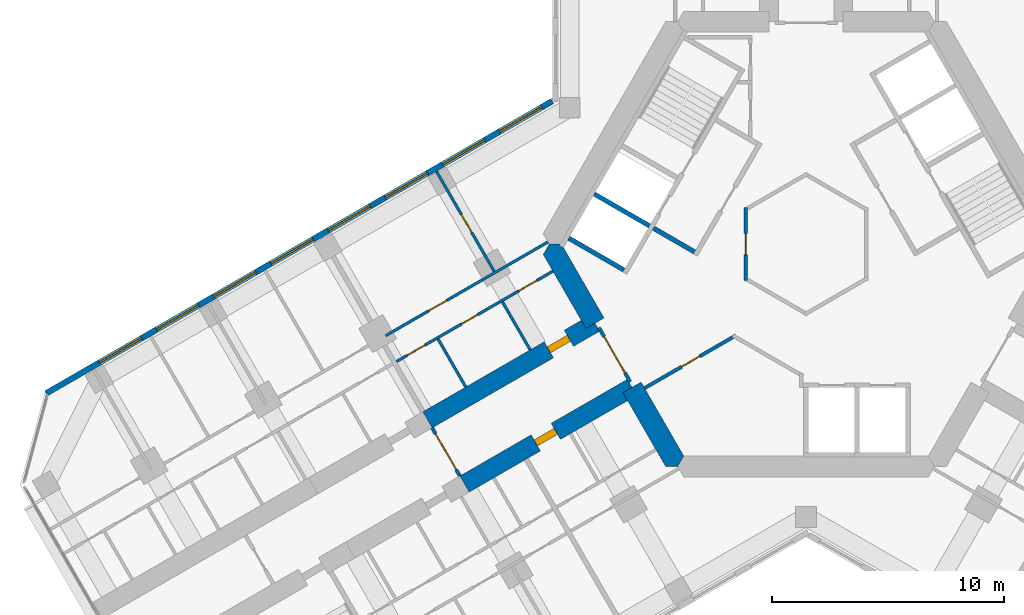
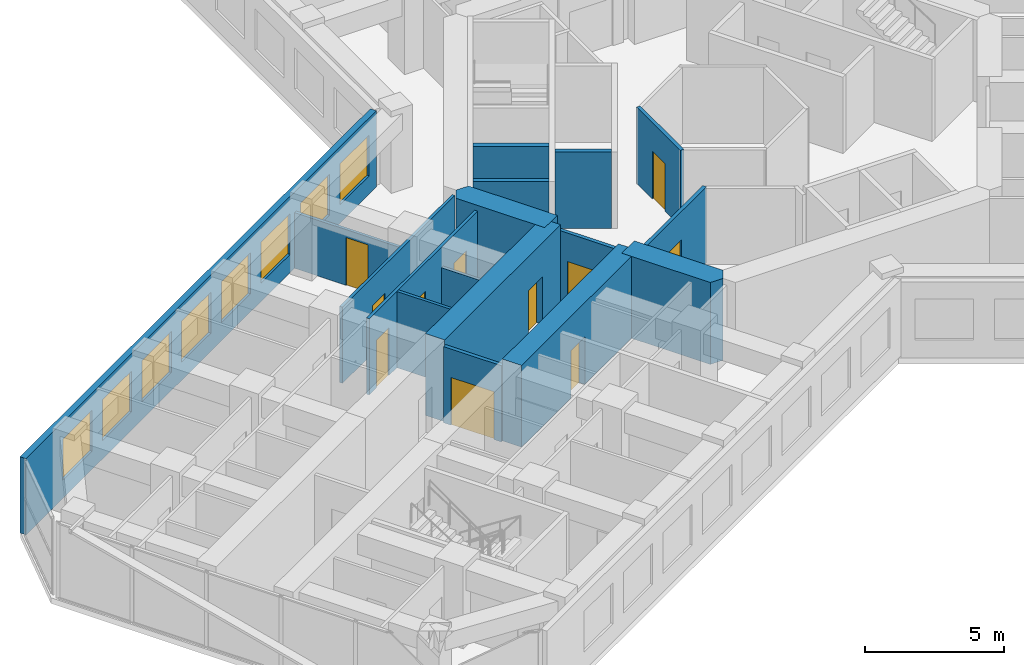
# One storey, part 12 of 19: 17 walls, 11 doors, 8 windows, 19 openings.
"""IFC4 building model written with IfcOpenShell, lengths in metres."""

from ifc_helpers import new_model, si_unit, direction, frame, frame_2d, origin, place, context, subcontext, project, spatial, polyline, rectangle, outline, extrude, material, layer, layer_set, type_object, element, fill, save


model = new_model("IFC4")

# Units and contexts
model_context = context("Model", 3, precision=1e-05, world=origin(), true_north=direction((0.0, 1.0)))
body_context = subcontext(model_context, "Body", "Model", "MODEL_VIEW")
ifc_project = project(units=[si_unit("LENGTHUNIT", "METRE"), si_unit("AREAUNIT", "SQUARE_METRE"), si_unit("VOLUMEUNIT", "CUBIC_METRE"), si_unit("PLANEANGLEUNIT", "RADIAN"), si_unit("MASSUNIT", "GRAM", prefix="KILO")], contexts=[model_context])

# Site, building, storey
site_placement = place(None, origin())
site = spatial("IfcSite", under=ifc_project, at=site_placement, CompositionType="ELEMENT")
building_placement = place(site_placement, origin())
building = spatial("IfcBuilding", under=site, at=building_placement, Name="Kosmar Iwan School Tower", CompositionType="ELEMENT")
storey_placement = place(building_placement, frame((0.0, 0.0, 149.0)))
storey = spatial("IfcBuildingStorey", under=building, at=storey_placement, Name="L37", CompositionType="ELEMENT", Elevation=149.0)

# Wall, opening, door
ifc_material_1 = material(Name="Gypsum board on steel studs, fire-rated", Category="steel")
ifc_layer_1 = layer(ifc_material_1, 0.14990234375)
ifc_layer_set_1 = layer_set([ifc_layer_1], Name="Core room partition 150")
wall_type_1 = type_object("IfcWallType", Name="Core room partition 150", PredefinedType="PARTITIONING", material=ifc_layer_set_1)
wall_1_placement = place(storey_placement, frame((-6.978515625, -6.222900390625, 0.0), z_axis=(0.0, 0.0, 1.0), x_axis=(0.866033797781, 0.49998546089, 0.0)))
wall_1 = element("IfcWall", 1, at=wall_1_placement, inside=storey, type_object=wall_type_1, Name="Core room partition L37-CW5", PredefinedType="PARTITIONING", context=body_context, shape_type="SweptSolid", body=[
    extrude(rectangle(XDim=4.553466796875, YDim=0.14990234375, at=frame_2d((2.27685546875, 0.0))), origin(), (0.0, 0.0, 1.0), 3.35009765625),
])
opening_1_placement = place(wall_1_placement, frame((1.846923828125, 0.0, 0.0)))
opening_1 = element("IfcOpeningElement", 2, at=opening_1_placement, cuts=wall_1, Name="Opening D14", PredefinedType="OPENING", context=body_context, shape_type="SweptSolid", body=[
    extrude(rectangle(XDim=0.89990234375, YDim=2.10009765625, at=frame_2d((0.449951171875, 1.050048828125))), frame((0.0, 0.0869140625, 0.0), z_axis=(0.0, -1.0, 0.0), x_axis=(1.0, 0.0, 0.0)), (0.0, 0.0, 1.0), 0.173828125),
])
ifc_material_2 = material(Name="Timber fire door in steel frame", Category="steel")
door_type_1 = type_object("IfcDoorType", Name="Core room door 900x2100", OperationType="SINGLE_SWING_LEFT", PredefinedType="DOOR", material=ifc_material_2)
door_1_placement = place(opening_1_placement, origin())
door_1 = element("IfcDoor", 3, at=door_1_placement, inside=storey, type_object=door_type_1, Name="Bulky waste store door L37 3", OperationType="SINGLE_SWING_RIGHT", OverallHeight=2.10009765625, OverallWidth=0.89990234375, PredefinedType="DOOR", context=body_context, shape_type="SweptSolid", body=[
    extrude(rectangle(XDim=0.89990234375, YDim=2.10009765625, at=frame_2d((0.449951171875, 1.050048828125))), frame((0.0, 0.02490234375, 0.0), z_axis=(0.0, -1.0, 0.0), x_axis=(1.0, 0.0, 0.0)), (0.0, 0.0, 1.0), 0.050048828125),
])
fill(opening_1, door_1)

wall_2_placement = place(storey_placement, frame((-2.60009765625, -1.576171875, 0.0), z_axis=(0.0, 0.0, 1.0), x_axis=(0.0, 1.0, 0.0)))
wall_2 = element("IfcWall", 4, at=wall_2_placement, inside=storey, type_object=wall_type_1, Name="Core room partition L37-CW10", PredefinedType="PARTITIONING", context=body_context, shape_type="SweptSolid", body=[
    extrude(rectangle(XDim=3.15234375, YDim=0.14990234375, at=frame_2d((1.576171875, 0.0))), origin(), (0.0, 0.0, 1.0), 3.35009765625),
])
opening_2_placement = place(wall_2_placement, frame((1.1259765625, 0.0, 0.0)))
opening_2 = element("IfcOpeningElement", 5, at=opening_2_placement, cuts=wall_2, Name="Opening D14", PredefinedType="OPENING", context=body_context, shape_type="SweptSolid", body=[
    extrude(rectangle(XDim=0.89990234375, YDim=2.10009765625, at=frame_2d((0.449951171875, 1.050048828125))), frame((0.0, 0.0869140625, 0.0), z_axis=(0.0, -1.0, 0.0), x_axis=(1.0, 0.0, 0.0)), (0.0, 0.0, 1.0), 0.173828125),
])
door_2_placement = place(opening_2_placement, origin())
door_2 = element("IfcDoor", 6, at=door_2_placement, inside=storey, type_object=door_type_1, Name="Residents' laundry room door L37 4", OperationType="SINGLE_SWING_LEFT", OverallHeight=2.10009765625, OverallWidth=0.89990234375, PredefinedType="DOOR", context=body_context, shape_type="SweptSolid", body=[
    extrude(rectangle(XDim=0.89990234375, YDim=2.10009765625, at=frame_2d((0.449951171875, 1.050048828125))), frame((0.0, 0.02490234375, 0.0), z_axis=(0.0, -1.0, 0.0), x_axis=(1.0, 0.0, 0.0)), (0.0, 0.0, 1.0), 0.050048828125),
])
fill(opening_2, door_2)

# Walls
ifc_material_3 = material(Name="Concrete C50/60", Category="concrete")
ifc_layer_2 = layer(ifc_material_3, 0.89990234375)
ifc_layer_set_2 = layer_set([ifc_layer_2], Name="Core wall 900")
wall_type_2 = type_object("IfcWallType", Name="Core wall 900", PredefinedType="SHEAR", material=ifc_layer_set_2)
wall_3_placement = place(storey_placement, origin())
element("IfcWall", 7, at=wall_3_placement, inside=storey, type_object=wall_type_2, Name="Core wall F210a", PredefinedType="SHEAR", context=body_context, shape_type="SweptSolid", body=[
    extrude(outline(polyline([(-9.503662109375, -3.639404296875), (-8.72412109375, -3.189453125), (-10.5654296875, 0.0), (-11.085205078125, 0.0), (-11.344970703125, -0.449951171875), (-9.503662109375, -3.639404296875)])), origin(), (0.0, 0.0, 1.0), 3.60009765625),
])
wall_4_placement = place(storey_placement, origin())
element("IfcWall", 8, at=wall_4_placement, inside=storey, type_object=wall_type_2, Name="Core wall F210b", PredefinedType="SHEAR", context=body_context, shape_type="SweptSolid", body=[
    extrude(outline(polyline([(-6.062255859375, -9.60009765625), (-5.54248046875, -9.60009765625), (-5.28271484375, -9.14990234375), (-7.1240234375, -5.960693359375), (-7.903564453125, -6.41064453125), (-6.062255859375, -9.60009765625)])), origin(), (0.0, 0.0, 1.0), 3.60009765625),
])

# Wall, opening, door
ifc_material_4 = material(Name="Concrete C50/60", Category="concrete")
ifc_layer_3 = layer(ifc_material_4, 0.800048828125)
ifc_layer_set_3 = layer_set([ifc_layer_3], Name="Corridor buttress wall 800")
wall_type_3 = type_object("IfcWallType", Name="Corridor buttress wall 800", PredefinedType="SHEAR", material=ifc_layer_set_3)
wall_5_placement = place(storey_placement, frame((-7.513916015625, -6.185546875, 0.0), z_axis=(0.0, 0.0, 1.0), x_axis=(-0.866019549707, -0.500010139422, 0.0)))
wall_5 = element("IfcWall", 9, at=wall_5_placement, inside=storey, type_object=wall_type_3, Name="Corridor wall BL", PredefinedType="SHEAR", context=body_context, shape_type="SweptSolid", body=[
    extrude(rectangle(XDim=8.349853515625, YDim=0.800048828125, at=frame_2d((4.1748046875, 0.0))), origin(), (0.0, 0.0, 1.0), 3.60009765625),
])
opening_3_placement = place(wall_5_placement, frame((3.800048828125, 0.0, 0.0)))
opening_3 = element("IfcOpeningElement", 10, at=opening_3_placement, cuts=wall_5, Name="Opening D1", PredefinedType="OPENING", context=body_context, shape_type="SweptSolid", body=[
    extrude(rectangle(XDim=1.0, YDim=2.10009765625, at=frame_2d((0.5, 1.050048828125))), frame((0.0, 0.412109375, 0.0), z_axis=(0.0, -1.0, 0.0), x_axis=(1.0, 0.0, 0.0)), (0.0, 0.0, 1.0), 0.823974609375),
])
ifc_material_5 = material(Name="Timber fire door in steel frame", Category="steel")
door_type_2 = type_object("IfcDoorType", Name="Flat entrance door 1000x2100", OperationType="SINGLE_SWING_LEFT", PredefinedType="DOOR", material=ifc_material_5)
door_3_placement = place(opening_3_placement, origin())
door_3 = element("IfcDoor", 11, at=door_3_placement, inside=storey, type_object=door_type_2, Name="Flat L37-BL1 entrance door", OperationType="SINGLE_SWING_LEFT", OverallHeight=2.10009765625, OverallWidth=1.0, PredefinedType="DOOR", context=body_context, shape_type="SweptSolid", body=[
    extrude(rectangle(XDim=1.0, YDim=2.10009765625, at=frame_2d((0.5, 1.050048828125))), frame((0.0, 0.14990234375, 0.0), z_axis=(0.0, -1.0, 0.0), x_axis=(1.0, 0.0, 0.0)), (0.0, 0.0, 1.0), 0.300048828125),
])
fill(opening_3, door_3)

wall_6_placement = place(storey_placement, frame((-9.11376953125, -3.414306640625, 0.0), z_axis=(0.0, 0.0, 1.0), x_axis=(-0.866026859388, -0.499997478812, 0.0)))
wall_6 = element("IfcWall", 12, at=wall_6_placement, inside=storey, type_object=wall_type_3, Name="Corridor wall BR", PredefinedType="SHEAR", context=body_context, shape_type="SweptSolid", body=[
    extrude(rectangle(XDim=8.35009765625, YDim=0.800048828125, at=frame_2d((4.175048828125, 0.0))), origin(), (0.0, 0.0, 1.0), 3.60009765625),
])
opening_4_placement = place(wall_6_placement, frame((1.300048828125, 0.0, 0.0)))
opening_4 = element("IfcOpeningElement", 13, at=opening_4_placement, cuts=wall_6, Name="Opening D1", PredefinedType="OPENING", context=body_context, shape_type="SweptSolid", body=[
    extrude(rectangle(XDim=1.0, YDim=2.10009765625, at=frame_2d((0.5, 1.050048828125))), frame((0.0, 0.412109375, 0.0), z_axis=(0.0, -1.0, 0.0), x_axis=(1.0, 0.0, 0.0)), (0.0, 0.0, 1.0), 0.823974609375),
])
door_4_placement = place(opening_4_placement, origin())
door_4 = element("IfcDoor", 14, at=door_4_placement, inside=storey, type_object=door_type_2, Name="Flat L37-BR1 entrance door", OperationType="SINGLE_SWING_LEFT", OverallHeight=2.10009765625, OverallWidth=1.0, PredefinedType="DOOR", context=body_context, shape_type="SweptSolid", body=[
    extrude(rectangle(XDim=1.0, YDim=2.10009765625, at=frame_2d((0.5, 1.050048828125))), frame((0.0, 0.14990234375, 0.0), z_axis=(0.0, -1.0, 0.0), x_axis=(1.0, 0.0, 0.0)), (0.0, 0.0, 1.0), 0.300048828125),
])
fill(opening_4, door_4)

ifc_material_6 = material(Name="Gypsum board on steel studs, fire-rated", Category="steel")
ifc_layer_4 = layer(ifc_material_6, 0.14990234375)
ifc_layer_set_4 = layer_set([ifc_layer_4], Name="Corridor end wall 150")
wall_type_4 = type_object("IfcWallType", Name="Corridor end wall 150", PredefinedType="PARTITIONING", material=ifc_layer_set_4)
wall_7_placement = place(storey_placement, frame((-16.145263671875, -7.935791015625, 0.0), z_axis=(0.0, 0.0, 1.0), x_axis=(0.500077600433, -0.865980596518, 0.0)))
wall_7 = element("IfcWall", 15, at=wall_7_placement, inside=storey, type_object=wall_type_4, Name="Partition L37-B-HW", PredefinedType="PARTITIONING", context=body_context, shape_type="SweptSolid", body=[
    extrude(rectangle(XDim=2.39990234375, YDim=0.14990234375, at=frame_2d((1.199951171875, 0.0))), origin(), (0.0, 0.0, 1.0), 3.35009765625),
])
opening_5_placement = place(wall_7_placement, frame((0.300048828125, 0.0, 0.0)))
opening_5 = element("IfcOpeningElement", 16, at=opening_5_placement, cuts=wall_7, Name="Opening D9", PredefinedType="OPENING", context=body_context, shape_type="SweptSolid", body=[
    extrude(rectangle(XDim=1.800048828125, YDim=2.10009765625, at=frame_2d((0.89990234375, 1.050048828125))), frame((0.0, 0.0869140625, 0.0), z_axis=(0.0, -1.0, 0.0), x_axis=(1.0, 0.0, 0.0)), (0.0, 0.0, 1.0), 0.173828125),
])
ifc_material_7 = material(Name="Steel framed glazed smoke door", Category="steel")
door_type_3 = type_object("IfcDoorType", Name="Corridor smoke door pair 1800x2100", OperationType="DOUBLE_DOOR_DOUBLE_SWING", PredefinedType="DOOR", material=ifc_material_7)
door_5_placement = place(opening_5_placement, origin())
door_5 = element("IfcDoor", 17, at=door_5_placement, inside=storey, type_object=door_type_3, Name="Hashti vestibule smoke doors L37-B", OperationType="DOUBLE_DOOR_DOUBLE_SWING", OverallHeight=2.10009765625, OverallWidth=1.800048828125, PredefinedType="DOOR", context=body_context, shape_type="SweptSolid", body=[
    extrude(rectangle(XDim=1.800048828125, YDim=2.10009765625, at=frame_2d((0.89990234375, 1.050048828125))), frame((0.0, 0.02490234375, 0.0), z_axis=(0.0, -1.0, 0.0), x_axis=(1.0, 0.0, 0.0)), (0.0, 0.0, 1.0), 0.050048828125),
])
fill(opening_5, door_5)

ifc_material_8 = material(Name="Steel framed glazed screen", Category="steel")
ifc_layer_5 = layer(ifc_material_8, 0.14990234375)
ifc_layer_set_5 = layer_set([ifc_layer_5], Name="Corridor screen wall 150")
wall_type_5 = type_object("IfcWallType", Name="Corridor screen wall 150", PredefinedType="PARTITIONING", material=ifc_layer_set_5)
wall_8_placement = place(storey_placement, frame((-8.945556640625, -3.60595703125, 0.0), z_axis=(0.0, 0.0, 1.0), x_axis=(0.500048589285, -0.86599734893, 0.0)))
wall_8 = element("IfcWall", 18, at=wall_8_placement, inside=storey, type_object=wall_type_5, Name="Corridor screen B L37", PredefinedType="PARTITIONING", context=body_context, shape_type="SweptSolid", body=[
    extrude(rectangle(XDim=2.699951171875, YDim=0.14990234375, at=frame_2d((1.35009765625, 0.0))), origin(), (0.0, 0.0, 1.0), 3.35009765625),
])
opening_6_placement = place(wall_8_placement, frame((0.449951171875, 0.0, 0.0)))
opening_6 = element("IfcOpeningElement", 19, at=opening_6_placement, cuts=wall_8, Name="Opening D9", PredefinedType="OPENING", context=body_context, shape_type="SweptSolid", body=[
    extrude(rectangle(XDim=1.800048828125, YDim=2.10009765625, at=frame_2d((0.89990234375, 1.050048828125))), frame((0.0, 0.0869140625, 0.0), z_axis=(0.0, -1.0, 0.0), x_axis=(1.0, 0.0, 0.0)), (0.0, 0.0, 1.0), 0.173828125),
])
door_6_placement = place(opening_6_placement, origin())
door_6 = element("IfcDoor", 20, at=door_6_placement, inside=storey, type_object=door_type_3, Name="Corridor doors B L37", OperationType="DOUBLE_DOOR_DOUBLE_SWING", OverallHeight=2.10009765625, OverallWidth=1.800048828125, PredefinedType="DOOR", context=body_context, shape_type="SweptSolid", body=[
    extrude(rectangle(XDim=1.800048828125, YDim=2.10009765625, at=frame_2d((0.89990234375, 1.050048828125))), frame((0.0, 0.02490234375, 0.0), z_axis=(0.0, -1.0, 0.0), x_axis=(1.0, 0.0, 0.0)), (0.0, 0.0, 1.0), 0.050048828125),
])
fill(opening_6, door_6)

# Wall, openings, doors
ifc_material_9 = material(Name="Gypsum board on steel studs", Category="steel")
ifc_layer_6 = layer(ifc_material_9, 0.1201171875)
ifc_layer_set_6 = layer_set([ifc_layer_6], Name="Dwelling partition 120")
wall_type_6 = type_object("IfcWallType", Name="Dwelling partition 120", PredefinedType="PARTITIONING", material=ifc_layer_set_6)
wall_9_placement = place(storey_placement, frame((-10.928466796875, -1.171142578125, 0.0), z_axis=(0.0, 0.0, 1.0), x_axis=(-0.866021400173, -0.500006934395, 0.0)))
wall_9 = element("IfcWall", 21, at=wall_9_placement, inside=storey, type_object=wall_type_6, Name="Partition L37-BR1-W1", PredefinedType="PARTITIONING", context=body_context, shape_type="SweptSolid", body=[
    extrude(rectangle(XDim=7.80029296875, YDim=0.1201171875, at=frame_2d((3.900146484375, 0.0))), origin(), (0.0, 0.0, 1.0), 3.35009765625),
])
opening_7_placement = place(wall_9_placement, frame((0.800048828125, 0.0, 0.0)))
opening_7 = element("IfcOpeningElement", 22, at=opening_7_placement, cuts=wall_9, Name="Opening D2", PredefinedType="OPENING", context=body_context, shape_type="SweptSolid", body=[
    extrude(rectangle(XDim=0.89990234375, YDim=2.10009765625, at=frame_2d((0.449951171875, 1.050048828125))), frame((0.0, 0.072021484375, 0.0), z_axis=(0.0, -1.0, 0.0), x_axis=(1.0, 0.0, 0.0)), (0.0, 0.0, 1.0), 0.14404296875),
])
opening_8_placement = place(wall_9_placement, frame((3.755126953125, 0.0, 0.0)))
opening_8 = element("IfcOpeningElement", 23, at=opening_8_placement, cuts=wall_9, Name="Opening D3", PredefinedType="OPENING", context=body_context, shape_type="SweptSolid", body=[
    extrude(rectangle(XDim=0.800048828125, YDim=2.10009765625, at=frame_2d((0.39990234375, 1.050048828125))), frame((0.0, 0.072021484375, 0.0), z_axis=(0.0, -1.0, 0.0), x_axis=(1.0, 0.0, 0.0)), (0.0, 0.0, 1.0), 0.14404296875),
])
opening_9_placement = place(wall_9_placement, frame((6.380126953125, 0.0, 0.0)))
opening_9 = element("IfcOpeningElement", 24, at=opening_9_placement, cuts=wall_9, Name="Opening D2", PredefinedType="OPENING", context=body_context, shape_type="SweptSolid", body=[
    extrude(rectangle(XDim=0.89990234375, YDim=2.10009765625, at=frame_2d((0.449951171875, 1.050048828125))), frame((0.0, 0.072021484375, 0.0), z_axis=(0.0, -1.0, 0.0), x_axis=(1.0, 0.0, 0.0)), (0.0, 0.0, 1.0), 0.14404296875),
])
ifc_material_10 = material(Name="Timber door in timber frame", Category="wood")
door_type_4 = type_object("IfcDoorType", Name="Internal door 900x2100", OperationType="SINGLE_SWING_LEFT", PredefinedType="DOOR", material=ifc_material_10)
door_7_placement = place(opening_7_placement, origin())
door_7 = element("IfcDoor", 25, at=door_7_placement, inside=storey, type_object=door_type_4, Name="Entrance hall door L37-BR1-S1", OperationType="SINGLE_SWING_RIGHT", OverallHeight=2.10009765625, OverallWidth=0.89990234375, PredefinedType="DOOR", context=body_context, shape_type="SweptSolid", body=[
    extrude(rectangle(XDim=0.89990234375, YDim=2.10009765625, at=frame_2d((0.449951171875, 1.050048828125))), frame((0.0, 0.02490234375, 0.0), z_axis=(0.0, -1.0, 0.0), x_axis=(1.0, 0.0, 0.0)), (0.0, 0.0, 1.0), 0.050048828125),
])
fill(opening_7, door_7)
door_8_placement = place(opening_9_placement, origin())
door_8 = element("IfcDoor", 26, at=door_8_placement, inside=storey, type_object=door_type_4, Name="Pantry door L37-BR1-S3", OperationType="SINGLE_SWING_RIGHT", OverallHeight=2.10009765625, OverallWidth=0.89990234375, PredefinedType="DOOR", context=body_context, shape_type="SweptSolid", body=[
    extrude(rectangle(XDim=0.89990234375, YDim=2.10009765625, at=frame_2d((0.449951171875, 1.050048828125))), frame((0.0, 0.02490234375, 0.0), z_axis=(0.0, -1.0, 0.0), x_axis=(1.0, 0.0, 0.0)), (0.0, 0.0, 1.0), 0.050048828125),
])
fill(opening_9, door_8)
ifc_material_11 = material(Name="Timber door in timber frame", Category="wood")
door_type_5 = type_object("IfcDoorType", Name="Sanitary room door 800x2100", OperationType="SINGLE_SWING_LEFT", PredefinedType="DOOR", material=ifc_material_11)
door_9_placement = place(opening_8_placement, origin())
door_9 = element("IfcDoor", 27, at=door_9_placement, inside=storey, type_object=door_type_5, Name="Bathroom door L37-BR1-S2", OperationType="SINGLE_SWING_LEFT", OverallHeight=2.10009765625, OverallWidth=0.800048828125, PredefinedType="DOOR", context=body_context, shape_type="SweptSolid", body=[
    extrude(rectangle(XDim=0.800048828125, YDim=2.10009765625, at=frame_2d((0.39990234375, 1.050048828125))), frame((0.0, 0.02490234375, 0.0), z_axis=(0.0, -1.0, 0.0), x_axis=(1.0, 0.0, 0.0)), (0.0, 0.0, 1.0), 0.050048828125),
])
fill(opening_8, door_9)

# Wall, opening, door
wall_10_placement = place(storey_placement, frame((-11.138916015625, 0.093017578125, 0.0), z_axis=(0.0, 0.0, 1.0), x_axis=(-0.866017937352, -0.500012932018, 0.0)))
wall_10 = element("IfcWall", 28, at=wall_10_placement, inside=storey, type_object=wall_type_6, Name="Partition L37-BR1-W2", PredefinedType="PARTITIONING", context=body_context, shape_type="SweptSolid", body=[
    extrude(rectangle(XDim=8.099853515625, YDim=0.1201171875, at=frame_2d((4.0498046875, 0.0))), origin(), (0.0, 0.0, 1.0), 3.35009765625),
])
opening_10_placement = place(wall_10_placement, frame((5.050048828125, 0.0, 0.0)))
opening_10 = element("IfcOpeningElement", 29, at=opening_10_placement, cuts=wall_10, Name="Opening D2", PredefinedType="OPENING", context=body_context, shape_type="SweptSolid", body=[
    extrude(rectangle(XDim=0.89990234375, YDim=2.10009765625, at=frame_2d((0.449951171875, 1.050048828125))), frame((0.0, 0.072021484375, 0.0), z_axis=(0.0, -1.0, 0.0), x_axis=(1.0, 0.0, 0.0)), (0.0, 0.0, 1.0), 0.14404296875),
])
door_10_placement = place(opening_10_placement, origin())
door_10 = element("IfcDoor", 30, at=door_10_placement, inside=storey, type_object=door_type_4, Name="Studio living room door L37-BR1-F2", OperationType="SINGLE_SWING_RIGHT", OverallHeight=2.10009765625, OverallWidth=0.89990234375, PredefinedType="DOOR", context=body_context, shape_type="SweptSolid", body=[
    extrude(rectangle(XDim=0.89990234375, YDim=2.10009765625, at=frame_2d((0.449951171875, 1.050048828125))), frame((0.0, 0.02490234375, 0.0), z_axis=(0.0, -1.0, 0.0), x_axis=(1.0, 0.0, 0.0)), (0.0, 0.0, 1.0), 0.050048828125),
])
fill(opening_10, door_10)

wall_11_placement = place(storey_placement, frame((-13.4638671875, -1.179931640625, 0.0), z_axis=(0.0, 0.0, 1.0), x_axis=(-0.499975153383, 0.86603974851, 0.0)))
wall_11 = element("IfcWall", 31, at=wall_11_placement, inside=storey, type_object=wall_type_6, Name="Partition L37-BR1-X1", PredefinedType="PARTITIONING", context=body_context, shape_type="SweptSolid", body=[
    extrude(rectangle(XDim=4.989990234375, YDim=0.1201171875, at=frame_2d((2.4951171875, 0.0))), origin(), (0.0, 0.0, 1.0), 2.449951171875),
])
opening_11_placement = place(wall_11_placement, frame((1.93994140625, 0.0, 0.0)))
opening_11 = element("IfcOpeningElement", 32, at=opening_11_placement, cuts=wall_11, Name="Opening D2", PredefinedType="OPENING", context=body_context, shape_type="SweptSolid", body=[
    extrude(rectangle(XDim=0.89990234375, YDim=2.10009765625, at=frame_2d((0.449951171875, 1.050048828125))), frame((0.0, 0.072021484375, 0.0), z_axis=(0.0, -1.0, 0.0), x_axis=(1.0, 0.0, 0.0)), (0.0, 0.0, 1.0), 0.14404296875),
])
door_11_placement = place(opening_11_placement, origin())
door_11 = element("IfcDoor", 33, at=door_11_placement, inside=storey, type_object=door_type_4, Name="Kitchen and dining room door L37-BR1-F1", OperationType="SINGLE_SWING_LEFT", OverallHeight=2.10009765625, OverallWidth=0.89990234375, PredefinedType="DOOR", context=body_context, shape_type="SweptSolid", body=[
    extrude(rectangle(XDim=0.89990234375, YDim=2.10009765625, at=frame_2d((0.449951171875, 1.050048828125))), frame((0.0, 0.02490234375, 0.0), z_axis=(0.0, -1.0, 0.0), x_axis=(1.0, 0.0, 0.0)), (0.0, 0.0, 1.0), 0.050048828125),
])
fill(opening_11, door_11)

# Walls
wall_12_placement = place(storey_placement, frame((-11.911865234375, -4.56787109375, 0.0), z_axis=(0.0, 0.0, 1.0), x_axis=(-0.500017192868, 0.86601547725, 0.0)))
element("IfcWall", 34, at=wall_12_placement, inside=storey, type_object=wall_type_6, Name="Partition L37-BR1-Y1", PredefinedType="PARTITIONING", context=body_context, shape_type="SweptSolid", body=[
    extrude(rectangle(XDim=2.39013671875, YDim=0.1201171875, at=frame_2d((1.195068359375, 0.0))), origin(), (0.0, 0.0, 1.0), 2.449951171875),
])
wall_13_placement = place(storey_placement, frame((-14.69189453125, -6.1728515625, 0.0), z_axis=(0.0, 0.0, 1.0), x_axis=(-0.500017192868, 0.86601547725, 0.0)))
element("IfcWall", 35, at=wall_13_placement, inside=storey, type_object=wall_type_6, Name="Partition L37-BR1-Y2", PredefinedType="PARTITIONING", context=body_context, shape_type="SweptSolid", body=[
    extrude(rectangle(XDim=2.39013671875, YDim=0.1201171875, at=frame_2d((1.195068359375, 0.0))), origin(), (0.0, 0.0, 1.0), 3.35009765625),
])

# Wall, openings, windows
ifc_material_12 = material(Name="Black aluminium rainscreen on insulated framing", Category="aluminium")
ifc_layer_7 = layer(ifc_material_12, 0.25)
ifc_layer_set_7 = layer_set([ifc_layer_7], Name="External wall rainscreen 250")
wall_type_7 = type_object("IfcWallType", Name="External wall rainscreen 250", PredefinedType="SOLIDWALL", material=ifc_layer_set_7)
wall_14_placement = place(storey_placement, frame((-10.962890625, 6.170166015625, 0.0), z_axis=(0.0, 0.0, 1.0), x_axis=(-0.86602796634, -0.499995561497, 0.0)))
wall_14 = element("IfcWall", 36, at=wall_14_placement, inside=storey, type_object=wall_type_7, Name="External wall BR L37", PredefinedType="SOLIDWALL", context=body_context, shape_type="SweptSolid", body=[
    extrude(rectangle(XDim=25.226318359375, YDim=0.25, at=frame_2d((12.61328125, 0.0))), origin(), (0.0, 0.0, 1.0), 3.35009765625),
])
opening_12_placement = place(wall_14_placement, frame((0.51611328125, 0.0, 0.800048828125)))
opening_12 = element("IfcOpeningElement", 37, at=opening_12_placement, cuts=wall_14, Name="Opening W4", PredefinedType="OPENING", context=body_context, shape_type="SweptSolid", body=[
    extrude(rectangle(XDim=2.10009765625, YDim=1.800048828125, at=frame_2d((1.050048828125, 0.89990234375))), frame((0.0, 0.136962890625, 0.0), z_axis=(0.0, -1.0, 0.0), x_axis=(1.0, 0.0, 0.0)), (0.0, 0.0, 1.0), 0.27392578125),
])
opening_13_placement = place(wall_14_placement, frame((3.365966796875, 0.0, 0.800048828125)))
opening_13 = element("IfcOpeningElement", 38, at=opening_13_placement, cuts=wall_14, Name="Opening W4", PredefinedType="OPENING", context=body_context, shape_type="SweptSolid", body=[
    extrude(rectangle(XDim=2.10009765625, YDim=1.800048828125, at=frame_2d((1.050048828125, 0.89990234375))), frame((0.0, 0.136962890625, 0.0), z_axis=(0.0, -1.0, 0.0), x_axis=(1.0, 0.0, 0.0)), (0.0, 0.0, 1.0), 0.27392578125),
])
opening_14_placement = place(wall_14_placement, frame((6.216064453125, 0.0, 0.800048828125)))
opening_14 = element("IfcOpeningElement", 39, at=opening_14_placement, cuts=wall_14, Name="Opening W4", PredefinedType="OPENING", context=body_context, shape_type="SweptSolid", body=[
    extrude(rectangle(XDim=2.10009765625, YDim=1.800048828125, at=frame_2d((1.050048828125, 0.89990234375))), frame((0.0, 0.136962890625, 0.0), z_axis=(0.0, -1.0, 0.0), x_axis=(1.0, 0.0, 0.0)), (0.0, 0.0, 1.0), 0.27392578125),
])
opening_15_placement = place(wall_14_placement, frame((9.06591796875, 0.0, 0.800048828125)))
opening_15 = element("IfcOpeningElement", 40, at=opening_15_placement, cuts=wall_14, Name="Opening W4", PredefinedType="OPENING", context=body_context, shape_type="SweptSolid", body=[
    extrude(rectangle(XDim=2.10009765625, YDim=1.800048828125, at=frame_2d((1.050048828125, 0.89990234375))), frame((0.0, 0.136962890625, 0.0), z_axis=(0.0, -1.0, 0.0), x_axis=(1.0, 0.0, 0.0)), (0.0, 0.0, 1.0), 0.27392578125),
])
opening_16_placement = place(wall_14_placement, frame((11.916015625, 0.0, 0.800048828125)))
opening_16 = element("IfcOpeningElement", 41, at=opening_16_placement, cuts=wall_14, Name="Opening W4", PredefinedType="OPENING", context=body_context, shape_type="SweptSolid", body=[
    extrude(rectangle(XDim=2.10009765625, YDim=1.800048828125, at=frame_2d((1.050048828125, 0.89990234375))), frame((0.0, 0.136962890625, 0.0), z_axis=(0.0, -1.0, 0.0), x_axis=(1.0, 0.0, 0.0)), (0.0, 0.0, 1.0), 0.27392578125),
])
opening_17_placement = place(wall_14_placement, frame((14.76611328125, 0.0, 0.800048828125)))
opening_17 = element("IfcOpeningElement", 42, at=opening_17_placement, cuts=wall_14, Name="Opening W4", PredefinedType="OPENING", context=body_context, shape_type="SweptSolid", body=[
    extrude(rectangle(XDim=2.10009765625, YDim=1.800048828125, at=frame_2d((1.050048828125, 0.89990234375))), frame((0.0, 0.136962890625, 0.0), z_axis=(0.0, -1.0, 0.0), x_axis=(1.0, 0.0, 0.0)), (0.0, 0.0, 1.0), 0.27392578125),
])
opening_18_placement = place(wall_14_placement, frame((17.615966796875, 0.0, 0.800048828125)))
opening_18 = element("IfcOpeningElement", 43, at=opening_18_placement, cuts=wall_14, Name="Opening W4", PredefinedType="OPENING", context=body_context, shape_type="SweptSolid", body=[
    extrude(rectangle(XDim=2.10009765625, YDim=1.800048828125, at=frame_2d((1.050048828125, 0.89990234375))), frame((0.0, 0.136962890625, 0.0), z_axis=(0.0, -1.0, 0.0), x_axis=(1.0, 0.0, 0.0)), (0.0, 0.0, 1.0), 0.27392578125),
])
opening_19_placement = place(wall_14_placement, frame((20.466064453125, 0.0, 0.800048828125)))
opening_19 = element("IfcOpeningElement", 44, at=opening_19_placement, cuts=wall_14, Name="Opening W4", PredefinedType="OPENING", context=body_context, shape_type="SweptSolid", body=[
    extrude(rectangle(XDim=2.10009765625, YDim=1.800048828125, at=frame_2d((1.050048828125, 0.89990234375))), frame((0.0, 0.136962890625, 0.0), z_axis=(0.0, -1.0, 0.0), x_axis=(1.0, 0.0, 0.0)), (0.0, 0.0, 1.0), 0.27392578125),
])
ifc_material_13 = material(Name="Black aluminium frame with dark triple glazing", Category="aluminium")
window_type = type_object("IfcWindowType", Name="Window 2100x1800", PartitioningType="SINGLE_PANEL", PredefinedType="WINDOW", material=ifc_material_13)
window_1_placement = place(opening_12_placement, origin())
window_1 = element("IfcWindow", 45, at=window_1_placement, inside=storey, type_object=window_type, Name="Window BR L37 -1", OverallHeight=1.800048828125, OverallWidth=2.10009765625, PartitioningType="SINGLE_PANEL", PredefinedType="WINDOW", context=body_context, shape_type="SweptSolid", body=[
    extrude(rectangle(XDim=2.10009765625, YDim=1.800048828125, at=frame_2d((1.050048828125, 0.89990234375))), frame((0.0, 0.030029296875, 0.0), z_axis=(0.0, -1.0, 0.0), x_axis=(1.0, 0.0, 0.0)), (0.0, 0.0, 1.0), 0.06005859375),
])
fill(opening_12, window_1)
window_2_placement = place(opening_13_placement, origin())
window_2 = element("IfcWindow", 46, at=window_2_placement, inside=storey, type_object=window_type, Name="Window BR L37 0", OverallHeight=1.800048828125, OverallWidth=2.10009765625, PartitioningType="SINGLE_PANEL", PredefinedType="WINDOW", context=body_context, shape_type="SweptSolid", body=[
    extrude(rectangle(XDim=2.10009765625, YDim=1.800048828125, at=frame_2d((1.050048828125, 0.89990234375))), frame((0.0, 0.030029296875, 0.0), z_axis=(0.0, -1.0, 0.0), x_axis=(1.0, 0.0, 0.0)), (0.0, 0.0, 1.0), 0.06005859375),
])
fill(opening_13, window_2)
window_3_placement = place(opening_14_placement, origin())
window_3 = element("IfcWindow", 47, at=window_3_placement, inside=storey, type_object=window_type, Name="Window BR L37 1", OverallHeight=1.800048828125, OverallWidth=2.10009765625, PartitioningType="SINGLE_PANEL", PredefinedType="WINDOW", context=body_context, shape_type="SweptSolid", body=[
    extrude(rectangle(XDim=2.10009765625, YDim=1.800048828125, at=frame_2d((1.050048828125, 0.89990234375))), frame((0.0, 0.030029296875, 0.0), z_axis=(0.0, -1.0, 0.0), x_axis=(1.0, 0.0, 0.0)), (0.0, 0.0, 1.0), 0.06005859375),
])
fill(opening_14, window_3)
window_4_placement = place(opening_15_placement, origin())
window_4 = element("IfcWindow", 48, at=window_4_placement, inside=storey, type_object=window_type, Name="Window BR L37 2", OverallHeight=1.800048828125, OverallWidth=2.10009765625, PartitioningType="SINGLE_PANEL", PredefinedType="WINDOW", context=body_context, shape_type="SweptSolid", body=[
    extrude(rectangle(XDim=2.10009765625, YDim=1.800048828125, at=frame_2d((1.050048828125, 0.89990234375))), frame((0.0, 0.030029296875, 0.0), z_axis=(0.0, -1.0, 0.0), x_axis=(1.0, 0.0, 0.0)), (0.0, 0.0, 1.0), 0.06005859375),
])
fill(opening_15, window_4)
window_5_placement = place(opening_16_placement, origin())
window_5 = element("IfcWindow", 49, at=window_5_placement, inside=storey, type_object=window_type, Name="Window BR L37 3", OverallHeight=1.800048828125, OverallWidth=2.10009765625, PartitioningType="SINGLE_PANEL", PredefinedType="WINDOW", context=body_context, shape_type="SweptSolid", body=[
    extrude(rectangle(XDim=2.10009765625, YDim=1.800048828125, at=frame_2d((1.050048828125, 0.89990234375))), frame((0.0, 0.030029296875, 0.0), z_axis=(0.0, -1.0, 0.0), x_axis=(1.0, 0.0, 0.0)), (0.0, 0.0, 1.0), 0.06005859375),
])
fill(opening_16, window_5)
window_6_placement = place(opening_17_placement, origin())
window_6 = element("IfcWindow", 50, at=window_6_placement, inside=storey, type_object=window_type, Name="Window BR L37 4", OverallHeight=1.800048828125, OverallWidth=2.10009765625, PartitioningType="SINGLE_PANEL", PredefinedType="WINDOW", context=body_context, shape_type="SweptSolid", body=[
    extrude(rectangle(XDim=2.10009765625, YDim=1.800048828125, at=frame_2d((1.050048828125, 0.89990234375))), frame((0.0, 0.030029296875, 0.0), z_axis=(0.0, -1.0, 0.0), x_axis=(1.0, 0.0, 0.0)), (0.0, 0.0, 1.0), 0.06005859375),
])
fill(opening_17, window_6)
window_7_placement = place(opening_18_placement, origin())
window_7 = element("IfcWindow", 51, at=window_7_placement, inside=storey, type_object=window_type, Name="Window BR L37 5", OverallHeight=1.800048828125, OverallWidth=2.10009765625, PartitioningType="SINGLE_PANEL", PredefinedType="WINDOW", context=body_context, shape_type="SweptSolid", body=[
    extrude(rectangle(XDim=2.10009765625, YDim=1.800048828125, at=frame_2d((1.050048828125, 0.89990234375))), frame((0.0, 0.030029296875, 0.0), z_axis=(0.0, -1.0, 0.0), x_axis=(1.0, 0.0, 0.0)), (0.0, 0.0, 1.0), 0.06005859375),
])
fill(opening_18, window_7)
window_8_placement = place(opening_19_placement, origin())
window_8 = element("IfcWindow", 52, at=window_8_placement, inside=storey, type_object=window_type, Name="Window BR L37 6", OverallHeight=1.800048828125, OverallWidth=2.10009765625, PartitioningType="SINGLE_PANEL", PredefinedType="WINDOW", context=body_context, shape_type="SweptSolid", body=[
    extrude(rectangle(XDim=2.10009765625, YDim=1.800048828125, at=frame_2d((1.050048828125, 0.89990234375))), frame((0.0, 0.030029296875, 0.0), z_axis=(0.0, -1.0, 0.0), x_axis=(1.0, 0.0, 0.0)), (0.0, 0.0, 1.0), 0.06005859375),
])
fill(opening_19, window_8)

# Walls
ifc_material_14 = material(Name="Concrete block masonry", Category="masonry")
ifc_layer_8 = layer(ifc_material_14, 0.199951171875)
ifc_layer_set_8 = layer_set([ifc_layer_8], Name="Fire lobby wall 200")
wall_type_8 = type_object("IfcWallType", Name="Fire lobby wall 200", PredefinedType="PARTITIONING", material=ifc_layer_set_8)
wall_15_placement = place(storey_placement, frame((-4.814208984375, -0.33837890625, 0.0), z_axis=(0.0, 0.0, 1.0), x_axis=(-0.865969381856, 0.500097020274, 0.0)))
element("IfcWall", 53, at=wall_15_placement, inside=storey, type_object=wall_type_8, Name="Firefighting lobby wall ST2", PredefinedType="PARTITIONING", context=body_context, shape_type="SweptSolid", body=[
    extrude(rectangle(XDim=2.0498046875, YDim=0.199951171875, at=frame_2d((1.02490234375, 0.0))), origin(), (0.0, 0.0, 1.0), 3.35009765625),
])
ifc_material_15 = material(Name="Concrete C50/60", Category="concrete")
ifc_layer_9 = layer(ifc_material_15, 0.199951171875)
ifc_layer_set_9 = layer_set([ifc_layer_9], Name="Lift shaft wall 200")
wall_type_9 = type_object("IfcWallType", Name="Lift shaft wall 200", PredefinedType="SHEAR", material=ifc_layer_set_9)
for number, where, z_axis, x_axis, name in (
    (54, (-6.7626953125, 0.78662109375, 0.0), (0.0, 0.0, 1.0), (-0.866027397988, 0.499996545922, 0.0), "Lift shaft wall AB 1"),
    (55, (-7.862548828125, -1.118408203125, 0.0), (0.0, 0.0, 1.0), (-0.866027397988, 0.499996545922, 0.0), "Lift shaft wall AB 2"),
):
    element("IfcWall", number, at=place(storey_placement, frame(where, z_axis=z_axis, x_axis=x_axis)), inside=storey, type_object=wall_type_9, Name=name, PredefinedType="SHEAR", context=body_context, shape_type="SweptSolid", body=[
        extrude(rectangle(XDim=2.75, YDim=0.199951171875, at=frame_2d((1.375, 0.0))), origin(), (0.0, 0.0, 1.0), 3.60009765625),
    ])

save(model, "model.ifc")
